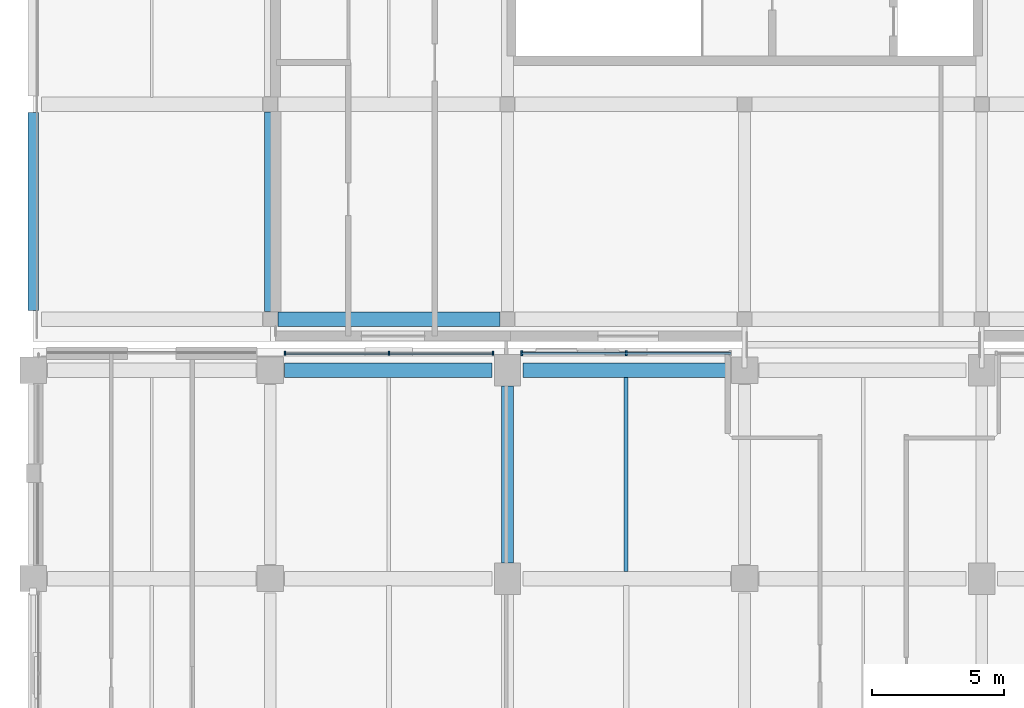
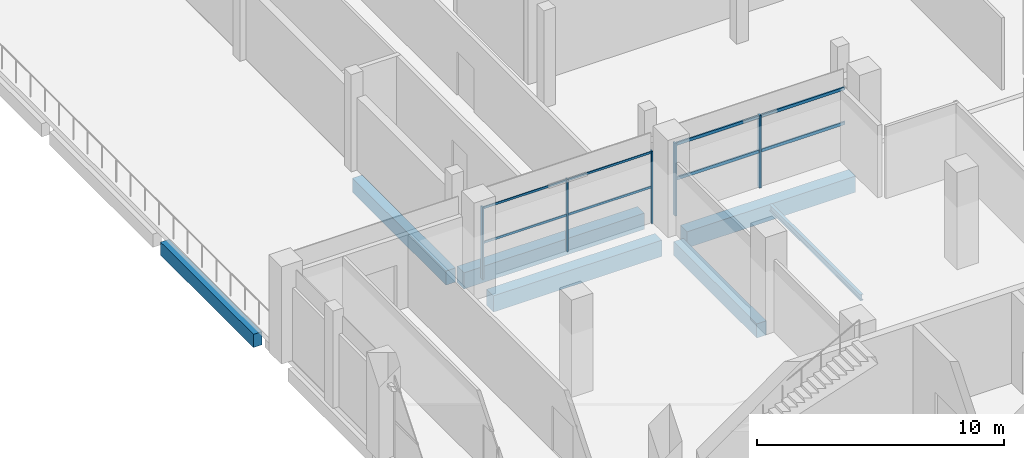
# One storey, part 22 of 111: 9 members, 7 beams, 2 elements without a shape of their own.
"""IFC4 building model written with IfcOpenShell, lengths in metres."""

from ifc_helpers import new_model, si_unit, direction, frame, origin, origin_2d, place, context, subcontext, project, spatial, rectangle, i_section, extrude, material, material_profile, profile_set, type_object, element, aggregate, save


model = new_model("IFC4")

# Units and contexts
model_context = context("Model", 3, precision=1e-05, world=origin(), true_north=direction((0.0, 1.0)))
body_context = subcontext(model_context, "Body", "Model", "MODEL_VIEW")
ifc_project = project(units=[si_unit("LENGTHUNIT", "METRE"), si_unit("AREAUNIT", "SQUARE_METRE"), si_unit("VOLUMEUNIT", "CUBIC_METRE"), si_unit("PLANEANGLEUNIT", "RADIAN"), si_unit("MASSUNIT", "GRAM", prefix="KILO"), si_unit("THERMODYNAMICTEMPERATUREUNIT", "KELVIN"), si_unit("POWERUNIT", "WATT")], contexts=[model_context])

# Site, building, storey
site_placement = place(None, origin())
site = spatial("IfcSite", under=ifc_project, at=site_placement, CompositionType="ELEMENT")
building_placement = place(site_placement, origin())
building = spatial("IfcBuilding", under=site, at=building_placement, Name="Sindhuravela Promenade Stadium", CompositionType="ELEMENT")
storey_placement = place(building_placement, frame((0.0, 0.0, 9.60009765625)))
storey = spatial("IfcBuildingStorey", under=building, at=storey_placement, Name="L02", CompositionType="ELEMENT", Elevation=9.60009765625)

# Curtain wall, members
ifc_material_1 = material(Name="Anodised architectural aluminium 6063-T6", Category="aluminium")
curtain_wall_type_1 = type_object("IfcCurtainWallType", Name="CW-MOD-5", PredefinedType="NOTDEFINED", material=ifc_material_1)
curtain_wall_1_placement = place(storey_placement, origin())
curtain_wall_1 = element("IfcCurtainWall", 1, at=curtain_wall_1_placement, inside=storey, type_object=curtain_wall_type_1, Name="Bronze curtain wall CW-WEST-L02-012", PredefinedType="NOTDEFINED")
ifc_material_profile_1 = material_profile(ifc_material_1, rectangle(XDim=0.074951171875, YDim=0.175048828125, at=origin_2d()), Name="ALU MULL 75x175")
ifc_profile_set_1 = profile_set([ifc_material_profile_1], Name="Anodised architectural aluminium 6063-T6")
member_type_1 = type_object("IfcMemberType", Name="CW-MUL-1", PredefinedType="MULLION", material=ifc_profile_set_1)
member_1_placement = place(storey_placement, frame((18.550048828125, 125.550048828125, 0.0), z_axis=(0.0, 0.0, 1.0), x_axis=(1.0, 0.0, 0.0)))
member_1 = element("IfcMember", 2, at=member_1_placement, type_object=member_type_1, Name="Curtain wall mullion CW-WEST-L02-012-M1", PredefinedType="MULLION", context=body_context, shape_type="SweptSolid", body=[
    extrude(rectangle(XDim=0.074951171875, YDim=0.175048828125, at=origin_2d()), origin(), (0.0, 0.0, 1.0), 3.579833984375),
])
member_2_placement = place(storey_placement, frame((22.5, 125.550048828125, 0.0), z_axis=(0.0, 0.0, 1.0), x_axis=(1.0, 0.0, 0.0)))
member_2 = element("IfcMember", 3, at=member_2_placement, type_object=member_type_1, Name="Curtain wall mullion CW-WEST-L02-012-M2", PredefinedType="MULLION", context=body_context, shape_type="SweptSolid", body=[
    extrude(rectangle(XDim=0.074951171875, YDim=0.175048828125, at=origin_2d()), origin(), (0.0, 0.0, 1.0), 3.579833984375),
])

curtain_wall_type_2 = type_object("IfcCurtainWallType", Name="CW-MOD-4", PredefinedType="NOTDEFINED", material=ifc_material_1)
curtain_wall_2_placement = place(storey_placement, origin())
curtain_wall_2 = element("IfcCurtainWall", 4, at=curtain_wall_2_placement, inside=storey, type_object=curtain_wall_type_2, Name="Bronze curtain wall CW-WEST-L02-011", PredefinedType="NOTDEFINED")
ifc_material_profile_2 = material_profile(ifc_material_1, rectangle(XDim=0.054931640625, YDim=0.14990234375, at=origin_2d()), Name="ALU M55x150")
ifc_profile_set_2 = profile_set([ifc_material_profile_2], Name="Anodised architectural aluminium 6063-T6")
member_type_2 = type_object("IfcMemberType", Name="CW-MUL-6", PredefinedType="MULLION", material=ifc_profile_set_2)
member_3_placement = place(storey_placement, frame((9.550048828125, 125.550048828125, 0.0), z_axis=(0.0, 0.0, 1.0), x_axis=(1.0, 0.0, 0.0)))
member_3 = element("IfcMember", 5, at=member_3_placement, type_object=member_type_2, Name="Curtain wall mullion CW-WEST-L02-011-M1", PredefinedType="MULLION", context=body_context, shape_type="SweptSolid", body=[
    extrude(rectangle(XDim=0.054931640625, YDim=0.14990234375, at=origin_2d()), origin(), (0.0, 0.0, 1.0), 3.579833984375),
])
member_4_placement = place(storey_placement, frame((13.5, 125.550048828125, 0.0), z_axis=(0.0, 0.0, 1.0), x_axis=(1.0, 0.0, 0.0)))
member_4 = element("IfcMember", 6, at=member_4_placement, type_object=member_type_2, Name="Curtain wall mullion CW-WEST-L02-011-M2", PredefinedType="MULLION", context=body_context, shape_type="SweptSolid", body=[
    extrude(rectangle(XDim=0.054931640625, YDim=0.14990234375, at=origin_2d()), origin(), (0.0, 0.0, 1.0), 3.579833984375),
])
member_5_placement = place(storey_placement, frame((17.449951171875, 125.550048828125, 0.0), z_axis=(0.0, 0.0, 1.0), x_axis=(1.0, 0.0, 0.0)))
member_5 = element("IfcMember", 7, at=member_5_placement, type_object=member_type_2, Name="Curtain wall mullion CW-WEST-L02-011-M3", PredefinedType="MULLION", context=body_context, shape_type="SweptSolid", body=[
    extrude(rectangle(XDim=0.054931640625, YDim=0.14990234375, at=origin_2d()), origin(), (0.0, 0.0, 1.0), 3.579833984375),
])

# Member
ifc_material_profile_3 = material_profile(ifc_material_1, rectangle(XDim=0.074951171875, YDim=0.14990234375, at=origin_2d()), Name="ALU TRAN 75x150")
ifc_profile_set_3 = profile_set([ifc_material_profile_3], Name="Anodised architectural aluminium 6063-T6")
member_type_3 = type_object("IfcMemberType", Name="CW-TRN-1", PredefinedType="USERDEFINED", material=ifc_profile_set_3)
member_6_placement = place(storey_placement, frame((18.52490234375, 125.550048828125, 1.789794921875), z_axis=(1.0, 0.0, 0.0), x_axis=(0.0, 1.0, 0.0)))
member_6 = element("IfcMember", 8, at=member_6_placement, type_object=member_type_3, Name="Curtain wall transom CW-WEST-L02-012-T1", ObjectType="TRANSOM", PredefinedType="USERDEFINED", context=body_context, shape_type="SweptSolid", body=[
    extrude(rectangle(XDim=0.074951171875, YDim=0.14990234375, at=origin_2d()), origin(), (0.0, 0.0, 1.0), 7.9501953125),
])

member_7_placement = place(storey_placement, frame((18.52490234375, 125.550048828125, 3.5), z_axis=(1.0, 0.0, 0.0), x_axis=(0.0, 1.0, 0.0)))
member_7 = element("IfcMember", 9, at=member_7_placement, type_object=member_type_3, Name="Curtain wall transom CW-WEST-L02-012-T2", ObjectType="TRANSOM", PredefinedType="USERDEFINED", context=body_context, shape_type="SweptSolid", body=[
    extrude(rectangle(XDim=0.074951171875, YDim=0.14990234375, at=origin_2d()), origin(), (0.0, 0.0, 1.0), 7.9501953125),
])

aggregate(curtain_wall_1, [member_1, member_2, member_6, member_7])

ifc_material_profile_4 = material_profile(ifc_material_1, rectangle(XDim=0.054931640625, YDim=0.10498046875, at=origin_2d()), Name="ALU T55x105")
ifc_profile_set_4 = profile_set([ifc_material_profile_4], Name="Anodised architectural aluminium 6063-T6")
member_type_4 = type_object("IfcMemberType", Name="CW-TRN-6", PredefinedType="USERDEFINED", material=ifc_profile_set_4)
member_8_placement = place(storey_placement, frame((9.52490234375, 125.550048828125, 1.789794921875), z_axis=(1.0, 0.0, 0.0), x_axis=(0.0, 1.0, 0.0)))
member_8 = element("IfcMember", 10, at=member_8_placement, type_object=member_type_4, Name="Curtain wall transom CW-WEST-L02-011-T1", ObjectType="TRANSOM", PredefinedType="USERDEFINED", context=body_context, shape_type="SweptSolid", body=[
    extrude(rectangle(XDim=0.054931640625, YDim=0.10498046875, at=origin_2d()), origin(), (0.0, 0.0, 1.0), 7.9501953125),
])

member_9_placement = place(storey_placement, frame((9.52490234375, 125.550048828125, 3.5), z_axis=(1.0, 0.0, 0.0), x_axis=(0.0, 1.0, 0.0)))
member_9 = element("IfcMember", 11, at=member_9_placement, type_object=member_type_4, Name="Curtain wall transom CW-WEST-L02-011-T2", ObjectType="TRANSOM", PredefinedType="USERDEFINED", context=body_context, shape_type="SweptSolid", body=[
    extrude(rectangle(XDim=0.054931640625, YDim=0.10498046875, at=origin_2d()), origin(), (0.0, 0.0, 1.0), 7.9501953125),
])

aggregate(curtain_wall_2, [member_3, member_4, member_5, member_8, member_9])

# Beams
ifc_material_2 = material(Name="Concrete M40", Category="concrete")
ifc_material_profile_5 = material_profile(ifc_material_2, rectangle(XDim=0.39990234375, YDim=0.64990234375, at=origin_2d()), Name="RC 400x650")
ifc_profile_set_5 = profile_set([ifc_material_profile_5], Name="Concrete M40")
beam_type_1 = type_object("IfcBeamType", Name="RC-BM-400x650", PredefinedType="SPANDREL", material=ifc_profile_set_5)
beam_1_placement = place(storey_placement, frame((0.0, 127.1650390625, -0.635009765625), z_axis=(0.0, 1.0, 0.0), x_axis=(-1.0, 0.0, 0.0)))
element("IfcBeam", 12, at=beam_1_placement, inside=storey, type_object=beam_type_1, Name="Primary beam SP01 Pavilion NW L02", PredefinedType="SPANDREL", context=body_context, shape_type="SweptSolid", body=[
    extrude(rectangle(XDim=0.39990234375, YDim=0.64990234375, at=origin_2d()), origin(), (0.0, 0.0, 1.0), 7.52001953125),
])
ifc_material_profile_6 = material_profile(ifc_material_2, rectangle(XDim=0.449951171875, YDim=0.699951171875, at=origin_2d()), Name="RC 450x700")
ifc_profile_set_6 = profile_set([ifc_material_profile_6], Name="Concrete M40")
beam_type_2 = type_object("IfcBeamType", Name="RC-BM-450x700", PredefinedType="BEAM", material=ifc_profile_set_6)
beam_2_placement = place(storey_placement, frame((18.0, 117.590087890625, -0.630126953125), z_axis=(0.0, 1.0, 0.0), x_axis=(-1.0, 0.0, 0.0)))
element("IfcBeam", 13, at=beam_2_placement, inside=storey, type_object=beam_type_2, Name="Primary beam GB07 WEST L02", PredefinedType="BEAM", context=body_context, shape_type="SweptSolid", body=[
    extrude(rectangle(XDim=0.449951171875, YDim=0.699951171875, at=origin_2d()), origin(), (0.0, 0.0, 1.0), 6.719970703125),
])
beam_3_placement = place(storey_placement, frame((9.0, 127.139892578125, -0.66015625), z_axis=(0.0, 1.0, 0.0), x_axis=(-1.0, 0.0, 0.0)))
element("IfcBeam", 14, at=beam_3_placement, inside=storey, type_object=beam_type_2, Name="Primary beam GB07 Pavilion NW L02", PredefinedType="BEAM", context=body_context, shape_type="SweptSolid", body=[
    extrude(rectangle(XDim=0.449951171875, YDim=0.699951171875, at=origin_2d()), origin(), (0.0, 0.0, 1.0), 7.570068359375),
])
ifc_material_profile_7 = material_profile(ifc_material_2, rectangle(XDim=0.550048828125, YDim=0.800048828125, at=origin_2d()), Name="RC 550x800")
ifc_profile_set_7 = profile_set([ifc_material_profile_7], Name="Concrete M40")
beam_type_3 = type_object("IfcBeamType", Name="RC-BM-550x800", PredefinedType="BEAM", material=ifc_profile_set_7)
for number, where, z_axis, x_axis, name in (
    (15, (9.5400390625, 124.89990234375, -0.68017578125), (1.0, 0.0, 0.0), (0.0, 1.0, 0.0), "Primary girder GB05 WEST L02"),
    (16, (18.590087890625, 124.89990234375, -0.68017578125), (1.0, 0.0, 0.0), (0.0, 1.0, 0.0), "Primary girder GB05 WEST L02"),
):
    element("IfcBeam", number, at=place(storey_placement, frame(where, z_axis=z_axis, x_axis=x_axis)), inside=storey, type_object=beam_type_3, Name=name, PredefinedType="BEAM", context=body_context, shape_type="SweptSolid", body=[
        extrude(rectangle(XDim=0.550048828125, YDim=0.800048828125, at=origin_2d()), origin(), (0.0, 0.0, 1.0), 7.869873046875),
    ])
beam_4_placement = place(storey_placement, frame((9.2900390625, 126.85009765625, -0.635009765625), z_axis=(1.0, 0.0, 0.0), x_axis=(0.0, 1.0, 0.0)))
element("IfcBeam", 17, at=beam_4_placement, inside=storey, type_object=beam_type_3, Name="Primary girder GB05 Pavilion NW L02", PredefinedType="BEAM", context=body_context, shape_type="SweptSolid", body=[
    extrude(rectangle(XDim=0.550048828125, YDim=0.800048828125, at=origin_2d()), origin(), (0.0, 0.0, 1.0), 8.419921875),
])
ifc_material_3 = material(Name="Steel E350 (IS 2062 E350BR)", Category="steel")
ifc_material_profile_8 = material_profile(ifc_material_3, i_section(OverallWidth=0.139892578125, OverallDepth=0.300048828125, WebThickness=0.0078125, FlangeThickness=0.01318359375, FilletRadius=0.013916015625, at=origin_2d()), Name="ISMB 300")
ifc_profile_set_8 = profile_set([ifc_material_profile_8], Name="Steel E350 (IS 2062 E350BR)")
beam_type_4 = type_object("IfcBeamType", Name="ST-BM-MB300", PredefinedType="JOIST", material=ifc_profile_set_8)
beam_5_placement = place(storey_placement, frame((22.5, 117.264892578125, -0.43017578125), z_axis=(0.0, 1.0, 0.0), x_axis=(-1.0, 0.0, 0.0)))
element("IfcBeam", 18, at=beam_5_placement, inside=storey, type_object=beam_type_4, Name="Secondary floor joist SB03 WEST L02", PredefinedType="JOIST", context=body_context, shape_type="SweptSolid", body=[
    extrude(i_section(OverallWidth=0.139892578125, OverallDepth=0.300048828125, WebThickness=0.0078125, FlangeThickness=0.01318359375, FilletRadius=0.013916015625, at=origin_2d()), origin(), (0.0, 0.0, 1.0), 7.3701171875),
])

save(model, "model.ifc")
